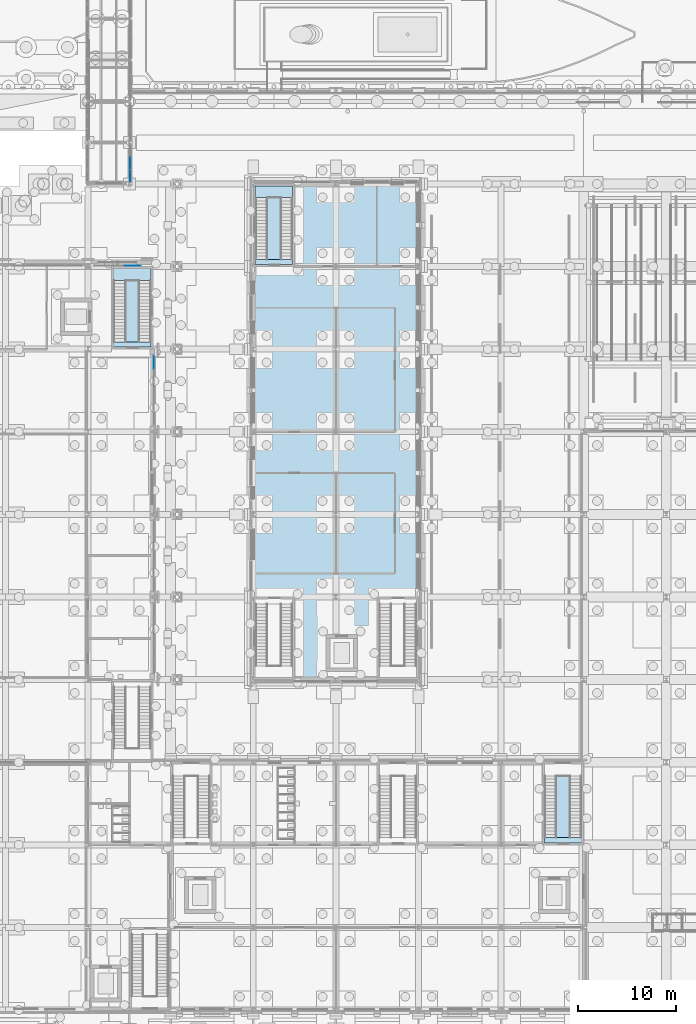
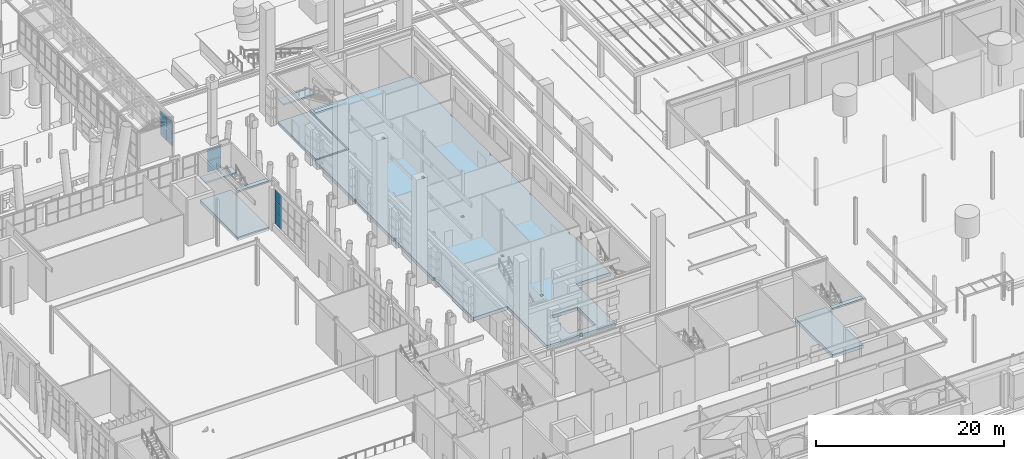
# One storey, part 81 of 222: 9 plates, 9 slabs, 6 elements without a shape of their own.
"""IFC4 building model written with IfcOpenShell, lengths in metres."""

from ifc_helpers import new_model, si_unit, direction, frame, origin, origin_2d, place, context, subcontext, project, spatial, polyline, rectangle, outline, extrude, material, layer, layer_set, type_object, element, aggregate, save


model = new_model("IFC4")

# Units and contexts
model_context = context("Model", 3, precision=1e-05, world=origin(), true_north=direction((0.0, 1.0)))
body_context = subcontext(model_context, "Body", "Model", "MODEL_VIEW")
ifc_project = project(units=[si_unit("LENGTHUNIT", "METRE"), si_unit("AREAUNIT", "SQUARE_METRE"), si_unit("VOLUMEUNIT", "CUBIC_METRE"), si_unit("PLANEANGLEUNIT", "RADIAN"), si_unit("MASSUNIT", "GRAM", prefix="KILO")], contexts=[model_context])

# Site, building, storey
site_placement = place(None, origin())
site = spatial("IfcSite", under=ifc_project, at=site_placement, CompositionType="ELEMENT")
building_placement = place(site_placement, origin())
building = spatial("IfcBuilding", under=site, at=building_placement, Name="Sava Quay Ferry Terminal", CompositionType="ELEMENT")
storey_placement = place(building_placement, origin())
storey = spatial("IfcBuildingStorey", under=building, at=storey_placement, Name="L00", CompositionType="ELEMENT", Elevation=0.0)

# Curtain wall, plates
ifc_material_1 = material(Name="Aluminium and glass curtain wall, double glazed", Category="aluminium")
curtain_wall_type_1 = type_object("IfcCurtainWallType", Name="Curtain wall CW-B gallery", PredefinedType="NOTDEFINED", material=ifc_material_1)
curtain_wall_1_placement = place(storey_placement, origin())
curtain_wall_1 = element("IfcCurtainWall", 1, at=curtain_wall_1_placement, inside=storey, type_object=curtain_wall_type_1, Name="Curtain wall B2-E L00 bay 1", PredefinedType="NOTDEFINED")
ifc_material_2 = material(Name="Laminated glass, double glazed unit", Category="glass")
ifc_layer_1 = layer(ifc_material_2, 0.02392578125)
ifc_layer_set_1 = layer_set([ifc_layer_1], Name="Laminated glass, double glazed unit")
plate_type_1 = type_object("IfcPlateType", Name="Glass panel 24 double", PredefinedType="CURTAIN_PANEL", material=ifc_layer_set_1)
plate_1_placement = place(storey_placement, frame((79.89990234375, 110.012451171875, 0.9501953125), z_axis=(0.0, 0.0, 1.0), x_axis=(0.0, 1.0, 0.0)))
plate_1 = element("IfcPlate", 2, at=plate_1_placement, type_object=plate_type_1, Name="CW19 panel 1.1", PredefinedType="CURTAIN_PANEL", context=body_context, shape_type="SweptSolid", body=[
    extrude(rectangle(XDim=1.22509765625, YDim=0.02392578125, at=origin_2d()), origin(), (0.0, 0.0, 1.0), 1.574951171875),
])
plate_2_placement = place(storey_placement, frame((79.89990234375, 110.012451171875, 2.5751953125), z_axis=(0.0, 0.0, 1.0), x_axis=(0.0, 1.0, 0.0)))
plate_2 = element("IfcPlate", 3, at=plate_2_placement, type_object=plate_type_1, Name="CW19 panel 1.2", PredefinedType="CURTAIN_PANEL", context=body_context, shape_type="SweptSolid", body=[
    extrude(rectangle(XDim=1.22509765625, YDim=0.02392578125, at=origin_2d()), origin(), (0.0, 0.0, 1.0), 1.574951171875),
])
plate_3_placement = place(storey_placement, frame((79.89990234375, 111.300048828125, 0.9501953125), z_axis=(0.0, 0.0, 1.0), x_axis=(0.0, 1.0, 0.0)))
plate_3 = element("IfcPlate", 4, at=plate_3_placement, type_object=plate_type_1, Name="CW19 panel 2.1", PredefinedType="CURTAIN_PANEL", context=body_context, shape_type="SweptSolid", body=[
    extrude(rectangle(XDim=1.25, YDim=0.02392578125, at=origin_2d()), origin(), (0.0, 0.0, 1.0), 1.574951171875),
])
plate_4_placement = place(storey_placement, frame((79.89990234375, 111.300048828125, 2.5751953125), z_axis=(0.0, 0.0, 1.0), x_axis=(0.0, 1.0, 0.0)))
plate_4 = element("IfcPlate", 5, at=plate_4_placement, type_object=plate_type_1, Name="CW19 panel 2.2", PredefinedType="CURTAIN_PANEL", context=body_context, shape_type="SweptSolid", body=[
    extrude(rectangle(XDim=1.25, YDim=0.02392578125, at=origin_2d()), origin(), (0.0, 0.0, 1.0), 1.574951171875),
])
aggregate(curtain_wall_1, [plate_1, plate_2, plate_3, plate_4])

ifc_material_3 = material(Name="Aluminium and glass curtain wall, double low-e glazed", Category="aluminium")
curtain_wall_type_2 = type_object("IfcCurtainWallType", Name="Curtain wall CW-F flank", PredefinedType="NOTDEFINED", material=ifc_material_3)
curtain_wall_2_placement = place(storey_placement, origin())
curtain_wall_2 = element("IfcCurtainWall", 6, at=curtain_wall_2_placement, inside=storey, type_object=curtain_wall_type_2, Name="Curtain wall D-E L00 bay 5", PredefinedType="NOTDEFINED")
ifc_material_4 = material(Name="Laminated glass, double low-e glazed unit", Category="glass")
ifc_layer_2 = layer(ifc_material_4, 0.028076171875)
ifc_layer_set_2 = layer_set([ifc_layer_2], Name="Laminated glass, double low-e glazed unit")
plate_type_2 = type_object("IfcPlateType", Name="Glass panel 28 double low-e", PredefinedType="CURTAIN_PANEL", material=ifc_layer_set_2)
plate_5_placement = place(storey_placement, frame((82.27490234375, 91.06494140625, 0.9501953125), z_axis=(0.0, 0.0, 1.0), x_axis=(0.0, 1.0, 0.0)))
plate_5 = element("IfcPlate", 7, at=plate_5_placement, type_object=plate_type_2, Name="CW51 panel 5.1", PredefinedType="CURTAIN_PANEL", context=body_context, shape_type="SweptSolid", body=[
    extrude(rectangle(XDim=1.35009765625, YDim=0.028076171875, at=origin_2d()), origin(), (0.0, 0.0, 1.0), 1.425048828125),
])
plate_6_placement = place(storey_placement, frame((82.27490234375, 91.06494140625, 2.4248046875), z_axis=(0.0, 0.0, 1.0), x_axis=(0.0, 1.0, 0.0)))
plate_6 = element("IfcPlate", 8, at=plate_6_placement, type_object=plate_type_2, Name="CW51 panel 5.2", PredefinedType="CURTAIN_PANEL", context=body_context, shape_type="SweptSolid", body=[
    extrude(rectangle(XDim=1.35009765625, YDim=0.028076171875, at=origin_2d()), origin(), (0.0, 0.0, 1.0), 1.449951171875),
])
plate_7_placement = place(storey_placement, frame((82.27490234375, 91.06494140625, 3.9248046875), z_axis=(0.0, 0.0, 1.0), x_axis=(0.0, 1.0, 0.0)))
plate_7 = element("IfcPlate", 9, at=plate_7_placement, type_object=plate_type_2, Name="CW51 panel 5.3", PredefinedType="CURTAIN_PANEL", context=body_context, shape_type="SweptSolid", body=[
    extrude(rectangle(XDim=1.35009765625, YDim=0.028076171875, at=origin_2d()), origin(), (0.0, 0.0, 1.0), 1.425048828125),
])
aggregate(curtain_wall_2, [plate_5, plate_6, plate_7])

ifc_material_5 = material(Name="Aluminium and glass curtain wall, double low-e glazed", Category="aluminium")
curtain_wall_type_3 = type_object("IfcCurtainWallType", Name="Curtain wall CW-G gable", PredefinedType="NOTDEFINED", material=ifc_material_5)
curtain_wall_3_placement = place(storey_placement, origin())
curtain_wall_3 = element("IfcCurtainWall", 10, at=curtain_wall_3_placement, inside=storey, type_object=curtain_wall_type_3, Name="Curtain wall D-N L00 bay 61", PredefinedType="NOTDEFINED")
plate_8_placement = place(storey_placement, frame((80.110107421875, 100.885009765625, 3.0498046875), z_axis=(0.0, 0.0, 1.0), x_axis=(1.0, 0.0, 0.0)))
plate_8 = element("IfcPlate", 11, at=plate_8_placement, type_object=plate_type_2, Name="CW85 panel 1.1", PredefinedType="CURTAIN_PANEL", context=body_context, shape_type="SweptSolid", body=[
    extrude(rectangle(XDim=1.659912109375, YDim=0.028076171875, at=origin_2d()), origin(), (0.0, 0.0, 1.0), 1.425048828125),
])
plate_9_placement = place(storey_placement, frame((80.110107421875, 100.885009765625, 4.52490234375), z_axis=(0.0, 0.0, 1.0), x_axis=(1.0, 0.0, 0.0)))
plate_9 = element("IfcPlate", 12, at=plate_9_placement, type_object=plate_type_2, Name="CW85 panel 1.2", PredefinedType="CURTAIN_PANEL", context=body_context, shape_type="SweptSolid", body=[
    extrude(rectangle(XDim=1.659912109375, YDim=0.028076171875, at=origin_2d()), origin(), (0.0, 0.0, 1.0), 1.425048828125),
])
aggregate(curtain_wall_3, [plate_8, plate_9])

# Slabs
ifc_material_6 = material(Name="Concrete C40/50", Category="concrete")
ifc_layer_3 = layer(ifc_material_6, 0.449951171875)
ifc_layer_set_3 = layer_set([ifc_layer_3], Name="Concrete C40/50")
slab_type_1 = type_object("IfcSlabType", Name="RC deck slab 450", PredefinedType="FLOOR", material=ifc_layer_set_3)
slab_1_placement = place(storey_placement, frame((0.0, 0.0, -0.449951171875)))
element("IfcSlab", 13, at=slab_1_placement, inside=storey, type_object=slab_type_1, Name="O floor slab L00", PredefinedType="FLOOR", context=body_context, shape_type="SweptSolid", body=[
    extrude(outline(polyline([(109.199951171875, 67.199951171875), (105.0, 67.199951171875), (105.0, 58.800048828125), (100.9599609375, 58.800048828125), (100.9599609375, 58.969970703125), (100.639892578125, 58.969970703125), (100.639892578125, 58.800048828125), (96.60009765625, 58.800048828125), (96.60009765625, 67.199951171875), (92.39990234375, 67.199951171875), (92.39990234375, 75.429931640625), (92.56005859375, 75.429931640625), (92.56005859375, 75.77001953125), (92.39990234375, 75.77001953125), (92.39990234375, 83.830078125), (92.56005859375, 83.830078125), (92.56005859375, 84.169921875), (92.39990234375, 84.169921875), (92.39990234375, 92.22998046875), (92.56005859375, 92.22998046875), (92.56005859375, 92.570068359375), (92.39990234375, 92.570068359375), (92.39990234375, 100.800048828125), (96.60009765625, 100.800048828125), (96.60009765625, 109.199951171875), (100.639892578125, 109.199951171875), (100.639892578125, 109.030029296875), (100.9599609375, 109.030029296875), (100.9599609375, 109.199951171875), (109.0400390625, 109.199951171875), (109.0400390625, 109.030029296875), (109.199951171875, 109.030029296875), (109.199951171875, 100.969970703125), (109.0400390625, 100.969970703125), (109.0400390625, 100.6298828125), (109.199951171875, 100.6298828125), (109.199951171875, 92.570068359375), (109.0400390625, 92.570068359375), (109.0400390625, 92.22998046875), (109.199951171875, 92.22998046875), (109.199951171875, 84.169921875), (109.0400390625, 84.169921875), (109.0400390625, 83.830078125), (109.199951171875, 83.830078125), (109.199951171875, 75.77001953125), (109.0400390625, 75.77001953125), (109.0400390625, 75.429931640625), (109.199951171875, 75.429931640625), (109.199951171875, 67.199951171875)]), holes=[polyline([(103.0, 63.39990234375), (99.800048828125, 63.39990234375), (99.800048828125, 59.60009765625), (103.0, 59.60009765625), (103.0, 63.39990234375)]), polyline([(100.9599609375, 67.3701171875), (100.639892578125, 67.3701171875), (100.639892578125, 67.030029296875), (100.9599609375, 67.030029296875), (100.9599609375, 67.3701171875)]), polyline([(100.9599609375, 75.77001953125), (100.639892578125, 75.77001953125), (100.639892578125, 75.429931640625), (100.9599609375, 75.429931640625), (100.9599609375, 75.77001953125)]), polyline([(100.639892578125, 84.169921875), (100.639892578125, 83.830078125), (100.9599609375, 83.830078125), (100.9599609375, 84.169921875), (100.639892578125, 84.169921875)]), polyline([(100.9599609375, 92.570068359375), (100.639892578125, 92.570068359375), (100.639892578125, 92.22998046875), (100.9599609375, 92.22998046875), (100.9599609375, 92.570068359375)]), polyline([(100.9599609375, 100.969970703125), (100.639892578125, 100.969970703125), (100.639892578125, 100.6298828125), (100.9599609375, 100.6298828125), (100.9599609375, 100.969970703125)])]), origin(), (0.0, 0.0, 1.0), 0.449951171875),
])
slab_2_placement = place(storey_placement, frame((0.0, 0.0, -0.449951171875)))
element("IfcSlab", 14, at=slab_2_placement, inside=storey, type_object=slab_type_1, Name="Stair floor ST-D6", PredefinedType="FLOOR", context=body_context, shape_type="SweptSolid", body=[
    extrude(outline(polyline([(78.199951171875, 92.60009765625), (82.0, 92.60009765625), (82.0, 100.60009765625), (78.199951171875, 100.60009765625), (78.199951171875, 92.60009765625)])), origin(), (0.0, 0.0, 1.0), 0.449951171875),
])
slab_3_placement = place(storey_placement, frame((0.0, 0.0, -0.449951171875)))
element("IfcSlab", 15, at=slab_3_placement, inside=storey, type_object=slab_type_1, Name="Stair floor ST-O3", PredefinedType="FLOOR", context=body_context, shape_type="SweptSolid", body=[
    extrude(outline(polyline([(92.60009765625, 101.0), (96.39990234375, 101.0), (96.39990234375, 109.0), (92.60009765625, 109.0), (92.60009765625, 101.0)])), origin(), (0.0, 0.0, 1.0), 0.449951171875),
])
slab_4_placement = place(storey_placement, frame((0.0, 0.0, -0.449951171875)))
element("IfcSlab", 16, at=slab_4_placement, inside=storey, type_object=slab_type_1, Name="Stair floor ST-P2", PredefinedType="FLOOR", context=body_context, shape_type="SweptSolid", body=[
    extrude(outline(polyline([(122.0, 42.199951171875), (125.800048828125, 42.199951171875), (125.800048828125, 50.199951171875), (122.0, 50.199951171875), (122.0, 42.199951171875)])), origin(), (0.0, 0.0, 1.0), 0.449951171875),
])

# Stair, slab
ifc_material_7 = material(Name="Concrete C30/37", Category="concrete")
stair_type = type_object("IfcStairType", Name="Stair 1200 half landing", PredefinedType="HALF_TURN_STAIR", material=ifc_material_7)
stair_1_placement = place(storey_placement, origin())
stair_1 = element("IfcStair", 17, at=stair_1_placement, inside=storey, type_object=stair_type, Name="Stair ST-D6 L00", PredefinedType="HALF_TURN_STAIR")
ifc_material_8 = material(Name="Concrete C30/37", Category="concrete")
ifc_layer_4 = layer(ifc_material_8, 0.199951171875)
ifc_layer_set_4 = layer_set([ifc_layer_4], Name="Concrete C30/37")
slab_type_2 = type_object("IfcSlabType", Name="Stair head floor 200", PredefinedType="FLOOR", material=ifc_layer_set_4)
slab_5_placement = place(storey_placement, frame((0.0, 0.0, 5.800048828125)))
slab_5 = element("IfcSlab", 18, at=slab_5_placement, type_object=slab_type_2, Name="ST-D6 head floor L01", PredefinedType="FLOOR", context=body_context, shape_type="SweptSolid", body=[
    extrude(outline(polyline([(78.199951171875, 92.60009765625), (78.199951171875, 93.1298828125), (82.0, 93.1298828125), (82.0, 92.60009765625), (78.199951171875, 92.60009765625)])), origin(), (0.0, 0.0, 1.0), 0.199951171875),
])

stair_2_placement = place(storey_placement, origin())
stair_2 = element("IfcStair", 19, at=stair_2_placement, inside=storey, type_object=stair_type, Name="Stair ST-P2 L00", PredefinedType="HALF_TURN_STAIR")
slab_6_placement = place(storey_placement, frame((0.0, 0.0, 5.800048828125)))
slab_6 = element("IfcSlab", 20, at=slab_6_placement, type_object=slab_type_2, Name="ST-P2 head floor L01", PredefinedType="FLOOR", context=body_context, shape_type="SweptSolid", body=[
    extrude(outline(polyline([(122.0, 42.199951171875), (122.0, 42.72998046875), (125.800048828125, 42.72998046875), (125.800048828125, 42.199951171875), (122.0, 42.199951171875)])), origin(), (0.0, 0.0, 1.0), 0.199951171875),
])
aggregate(stair_2, [slab_6])

stair_3_placement = place(storey_placement, origin())
stair_3 = element("IfcStair", 21, at=stair_3_placement, inside=storey, type_object=stair_type, Name="Stair ST-O3 L00", PredefinedType="HALF_TURN_STAIR")
slab_7_placement = place(storey_placement, frame((0.0, 0.0, 5.800048828125)))
slab_7 = element("IfcSlab", 22, at=slab_7_placement, type_object=slab_type_2, Name="ST-O3 head floor L01", PredefinedType="FLOOR", context=body_context, shape_type="SweptSolid", body=[
    extrude(outline(polyline([(92.60009765625, 101.0), (92.60009765625, 101.530029296875), (96.39990234375, 101.530029296875), (96.39990234375, 101.0), (92.60009765625, 101.0)])), origin(), (0.0, 0.0, 1.0), 0.199951171875),
])

# Slab
ifc_material_9 = material(Name="Concrete C30/37", Category="concrete")
ifc_layer_5 = layer(ifc_material_9, 0.199951171875)
ifc_layer_set_5 = layer_set([ifc_layer_5], Name="Concrete C30/37")
slab_type_3 = type_object("IfcSlabType", Name="Stair landing 200", PredefinedType="LANDING", material=ifc_layer_set_5)
slab_8_placement = place(storey_placement, frame((0.0, 0.0, 2.800048828125)))
slab_8 = element("IfcSlab", 23, at=slab_8_placement, type_object=slab_type_3, Name="ST-D6 landing 1", PredefinedType="LANDING", context=body_context, shape_type="SweptSolid", body=[
    extrude(outline(polyline([(78.199951171875, 99.39990234375), (78.199951171875, 100.60009765625), (82.0, 100.60009765625), (82.0, 99.39990234375), (78.199951171875, 99.39990234375)])), origin(), (0.0, 0.0, 1.0), 0.199951171875),
])

aggregate(stair_1, [slab_8, slab_5])

slab_9_placement = place(storey_placement, frame((0.0, 0.0, 2.800048828125)))
slab_9 = element("IfcSlab", 24, at=slab_9_placement, type_object=slab_type_3, Name="ST-O3 landing 1", PredefinedType="LANDING", context=body_context, shape_type="SweptSolid", body=[
    extrude(outline(polyline([(92.60009765625, 107.800048828125), (92.60009765625, 109.0), (96.39990234375, 109.0), (96.39990234375, 107.800048828125), (92.60009765625, 107.800048828125)])), origin(), (0.0, 0.0, 1.0), 0.199951171875),
])

aggregate(stair_3, [slab_9, slab_7])

save(model, "model.ifc")
